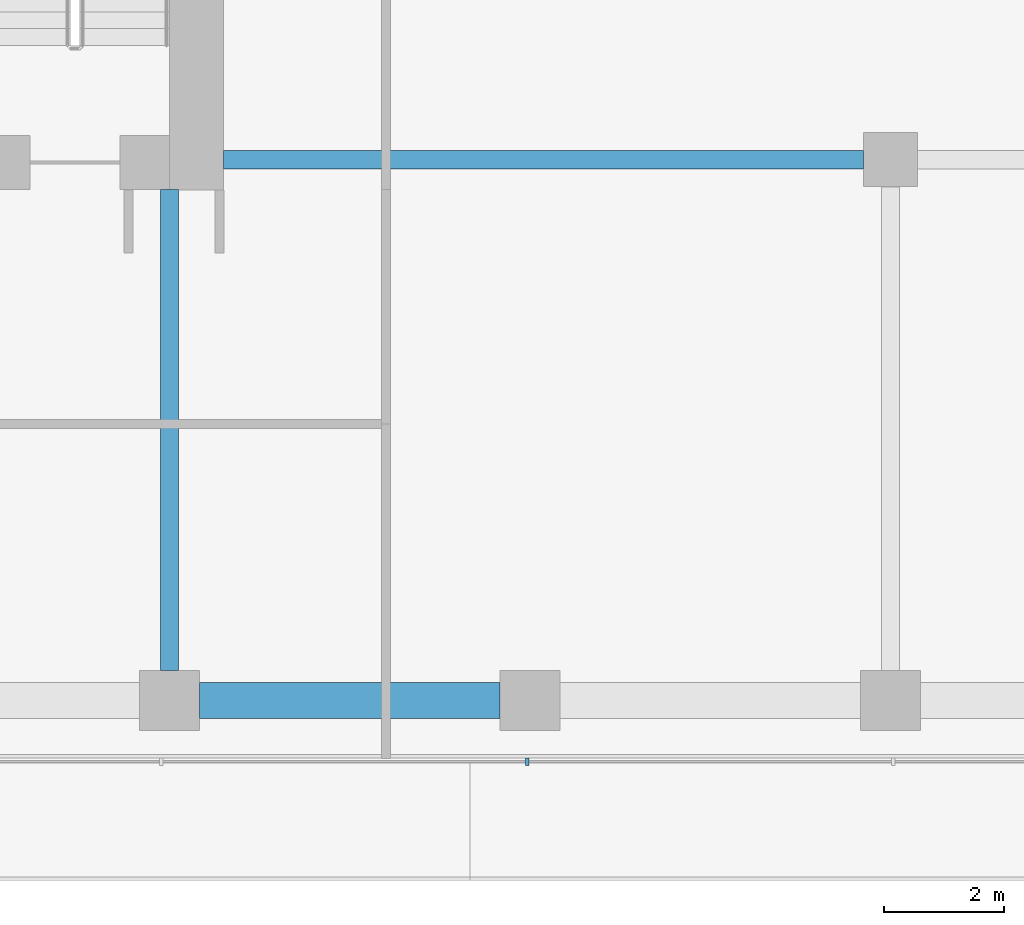
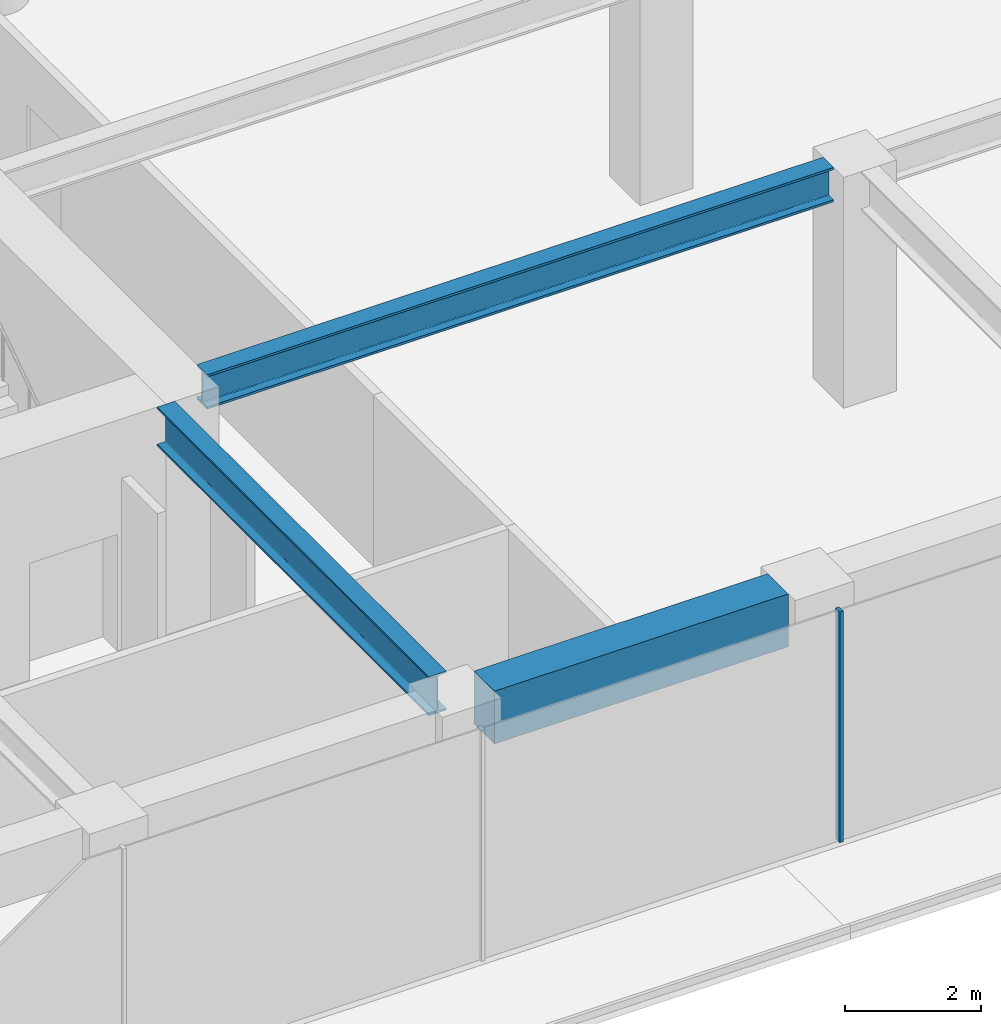
# One storey, part 3 of 24: 3 beams, 1 member, 1 element without a shape of its own.
"""IFC4 building model written with IfcOpenShell, lengths in metres."""

from ifc_helpers import new_model, si_unit, direction, frame, origin, origin_2d, place, context, subcontext, project, spatial, rectangle, i_section, extrude, material, layer, layer_set, material_profile, profile_set, type_object, element, aggregate, save


model = new_model("IFC4")

# Units and contexts
model_context = context("Model", 3, precision=1e-05, world=origin(), true_north=direction((0.0, 1.0)))
body_context = subcontext(model_context, "Body", "Model", "MODEL_VIEW")
ifc_project = project(units=[si_unit("LENGTHUNIT", "METRE"), si_unit("AREAUNIT", "SQUARE_METRE"), si_unit("VOLUMEUNIT", "CUBIC_METRE"), si_unit("PLANEANGLEUNIT", "RADIAN"), si_unit("MASSUNIT", "GRAM", prefix="KILO")], contexts=[model_context])

# Site, building, storey
site_placement = place(None, origin())
site = spatial("IfcSite", under=ifc_project, at=site_placement, CompositionType="ELEMENT")
building_placement = place(site_placement, origin())
building = spatial("IfcBuilding", under=site, at=building_placement, Name="Welwitschia Terrace Campus", CompositionType="ELEMENT")
storey_placement = place(building_placement, frame((0.0, 0.0, 15.5)))
storey = spatial("IfcBuildingStorey", under=building, at=storey_placement, Name="L03", CompositionType="ELEMENT", Elevation=15.5)

# Beam
ifc_material_1 = material(Name="Steel S355", Category="steel")
ifc_material_profile_1 = material_profile(ifc_material_1, i_section(OverallWidth=0.304931640625, OverallDepth=0.6201171875, WebThickness=0.02099609375, FlangeThickness=0.0400390625, FilletRadius=0.027099609375, at=origin_2d()))
ifc_profile_set_1 = profile_set([ifc_material_profile_1], Name="Steel S355")
beam_type_1 = type_object("IfcBeamType", Name="Interior girder HE 600 M", PredefinedType="BEAM", material=ifc_profile_set_1)
beam_1_placement = place(storey_placement, frame((24.90087890625, 5.0, 3.840087890625), z_axis=(1.0, 0.0, 0.0), x_axis=(0.0, 1.0, 0.0)))
element("IfcBeam", 1, at=beam_1_placement, inside=storey, type_object=beam_type_1, Name="Girder GB1", PredefinedType="BEAM", context=body_context, shape_type="SweptSolid", body=[
    extrude(i_section(OverallWidth=0.304931640625, OverallDepth=0.6201171875, WebThickness=0.02099609375, FlangeThickness=0.0400390625, FilletRadius=0.027099609375, at=origin_2d()), origin(), (0.0, 0.0, 1.0), 10.648681640625),
])

# Curtain wall, member
ifc_material_2 = material(Name="Bronze anodised aluminium", Category="aluminium")
ifc_layer = layer(ifc_material_2, 0.1201171875)
ifc_layer_set = layer_set([ifc_layer], Name="Bronze anodised aluminium")
curtain_wall_type = type_object("IfcCurtainWallType", Name="Curtain wall CW2 tower 6000", PredefinedType="NOTDEFINED", material=ifc_layer_set)
curtain_wall_placement = place(storey_placement, origin())
curtain_wall = element("IfcCurtainWall", 2, at=curtain_wall_placement, inside=storey, type_object=curtain_wall_type, Name="CW L03.1.0", PredefinedType="NOTDEFINED")
ifc_material_3 = material(Name="Bronze anodised aluminium", Category="aluminium")
ifc_material_profile_2 = material_profile(ifc_material_3, rectangle(XDim=0.1201171875, YDim=0.06005859375, at=origin_2d()))
ifc_profile_set_2 = profile_set([ifc_material_profile_2], Name="Bronze anodised aluminium")
member_type = type_object("IfcMemberType", Name="Mullion 60x120", PredefinedType="MULLION", material=ifc_profile_set_2)
member_placement = place(storey_placement, frame((29.953125, -5.02001953125, 0.0), z_axis=(0.0, 0.0, 1.0), x_axis=(0.0, 1.0, 0.0)))
member = element("IfcMember", 3, at=member_placement, type_object=member_type, Name="Mullion L03.1.0.4", PredefinedType="MULLION", context=body_context, shape_type="SweptSolid", body=[
    extrude(rectangle(XDim=0.1201171875, YDim=0.06005859375, at=origin_2d()), origin(), (0.0, 0.0, 1.0), 4.14990234375),
])
aggregate(curtain_wall, [member])

# Beams
ifc_material_4 = material(Name="Steel S355", Category="steel")
ifc_material_profile_3 = material_profile(ifc_material_4, i_section(OverallWidth=0.300048828125, OverallDepth=0.699951171875, WebThickness=0.01708984375, FlangeThickness=0.031982421875, FilletRadius=0.027099609375, at=origin_2d()))
ifc_profile_set_3 = profile_set([ifc_material_profile_3], Name="Steel S355")
beam_type_2 = type_object("IfcBeamType", Name="Primary beam HE 700 B", PredefinedType="BEAM", material=ifc_profile_set_3)
beam_2_placement = place(storey_placement, frame((24.0, -3.49951171875, 3.800048828125), z_axis=(0.0, 1.0, 0.0), x_axis=(-1.0, 0.0, 0.0)))
element("IfcBeam", 4, at=beam_2_placement, inside=storey, type_object=beam_type_2, Name="Primary beam PB1", PredefinedType="BEAM", context=body_context, shape_type="SweptSolid", body=[
    extrude(i_section(OverallWidth=0.300048828125, OverallDepth=0.699951171875, WebThickness=0.01708984375, FlangeThickness=0.031982421875, FilletRadius=0.027099609375, at=origin_2d()), origin(), (0.0, 0.0, 1.0), 7.99951171875),
])
ifc_material_5 = material(Name="Concrete C60/75", Category="concrete")
ifc_material_profile_4 = material_profile(ifc_material_5, rectangle(XDim=0.60009765625, YDim=0.949951171875, at=origin_2d()))
ifc_profile_set_4 = profile_set([ifc_material_profile_4], Name="Concrete C60/75")
beam_type_3 = type_object("IfcBeamType", Name="Ring spandrel 600x950", PredefinedType="SPANDREL", material=ifc_profile_set_4)
beam_3_placement = place(storey_placement, frame((24.50048828125, -4.0, 3.675048828125), z_axis=(1.0, 0.0, 0.0), x_axis=(0.0, 1.0, 0.0)))
element("IfcBeam", 5, at=beam_3_placement, inside=storey, type_object=beam_type_3, Name="Spandrel SP1", PredefinedType="SPANDREL", context=body_context, shape_type="SweptSolid", body=[
    extrude(rectangle(XDim=0.60009765625, YDim=0.949951171875, at=origin_2d()), origin(), (0.0, 0.0, 1.0), 4.9990234375),
])

save(model, "model.ifc")
